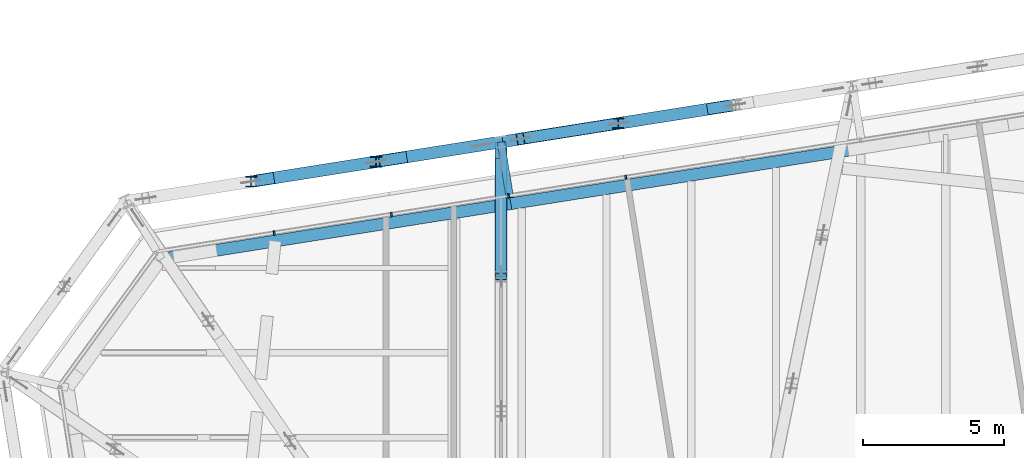
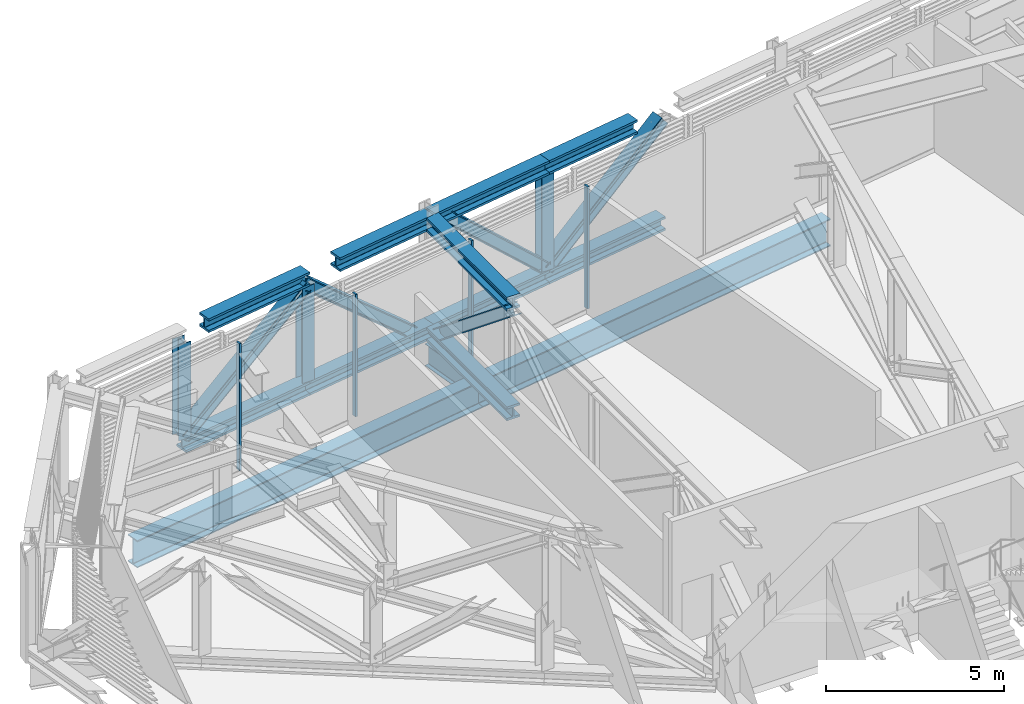
# One storey, part 15 of 32: 13 beams, 12 members, 1 element without a shape of its own.
"""IFC4 building model written with IfcOpenShell, lengths in metres."""

from ifc_helpers import new_model, si_unit, direction, frame, origin, origin_2d, place, context, subcontext, project, spatial, rectangle, i_section, extrude, material, layer, layer_set, material_profile, profile_set, type_object, element, aggregate, save


model = new_model("IFC4")

# Units and contexts
model_context = context("Model", 3, precision=1e-05, world=origin(), true_north=direction((0.0, 1.0)))
body_context = subcontext(model_context, "Body", "Model", "MODEL_VIEW")
ifc_project = project(units=[si_unit("LENGTHUNIT", "METRE"), si_unit("AREAUNIT", "SQUARE_METRE"), si_unit("VOLUMEUNIT", "CUBIC_METRE"), si_unit("PLANEANGLEUNIT", "RADIAN"), si_unit("MASSUNIT", "GRAM", prefix="KILO")], contexts=[model_context])

# Site, building, storey
site_placement = place(None, origin())
site = spatial("IfcSite", under=ifc_project, at=site_placement, CompositionType="ELEMENT")
building_placement = place(site_placement, origin())
building = spatial("IfcBuilding", under=site, at=building_placement, Name="Millrace Tower", CompositionType="ELEMENT")
storey_placement = place(building_placement, frame((0.0, 0.0, 266.89990234375)))
storey = spatial("IfcBuildingStorey", under=building, at=storey_placement, Name="L61", CompositionType="ELEMENT", Elevation=266.89990234375)

# Beams
ifc_material_1 = material(Name="Steel ASTM A992 Grade 50", Category="steel")
ifc_material_profile_1 = material_profile(ifc_material_1, i_section(OverallWidth=0.424072265625, OverallDepth=0.47509765625, WebThickness=0.0478515625, FlangeThickness=0.0771484375, FilletRadius=0.014892578125, at=origin_2d()))
ifc_profile_set_1 = profile_set([ifc_material_profile_1], Name="Steel ASTM A992 Grade 50")
beam_type_1 = type_object("IfcBeamType", Name="Belt truss chord W14x426", PredefinedType="BEAM", material=ifc_profile_set_1)
beam_1_placement = place(storey_placement, frame((-4.436767578125, 29.770751953125, 0.237548828125), z_axis=(-0.987689328781, -0.156428225752, 0.0), x_axis=(0.156428225752, -0.987689328781, 0.0)))
element("IfcBeam", 1, at=beam_1_placement, inside=storey, type_object=beam_type_1, Name="BLT-L61-R11-B02", PredefinedType="BEAM", context=body_context, shape_type="SweptSolid", body=[
    extrude(i_section(OverallWidth=0.424072265625, OverallDepth=0.47509765625, WebThickness=0.0478515625, FlangeThickness=0.0771484375, FilletRadius=0.014892578125, at=origin_2d()), origin(), (0.0, 0.0, 1.0), 4.199951171875),
])
beam_2_placement = place(storey_placement, frame((-8.5849609375, 29.11376953125, 0.237548828125), z_axis=(-0.987690751091, -0.156419245009, 0.0), x_axis=(0.156419245009, -0.987690751091, 0.0)))
element("IfcBeam", 2, at=beam_2_placement, inside=storey, type_object=beam_type_1, Name="BLT-L61-R11-B03", PredefinedType="BEAM", context=body_context, shape_type="SweptSolid", body=[
    extrude(i_section(OverallWidth=0.424072265625, OverallDepth=0.47509765625, WebThickness=0.0478515625, FlangeThickness=0.0771484375, FilletRadius=0.014892578125, at=origin_2d()), origin(), (0.0, 0.0, 1.0), 4.2001953125),
])
beam_3_placement = place(storey_placement, frame((-12.7333984375, 28.456787109375, 0.237548828125), z_axis=(-0.987680126186, -0.156486319971, 0.0), x_axis=(0.156486319971, -0.987680126186, 0.0)))
element("IfcBeam", 3, at=beam_3_placement, inside=storey, type_object=beam_type_1, Name="BLT-L61-R12-B01", PredefinedType="BEAM", context=body_context, shape_type="SweptSolid", body=[
    extrude(i_section(OverallWidth=0.424072265625, OverallDepth=0.47509765625, WebThickness=0.0478515625, FlangeThickness=0.0771484375, FilletRadius=0.014892578125, at=origin_2d()), origin(), (0.0, 0.0, 1.0), 4.47607421875),
])
beam_4_placement = place(storey_placement, frame((-17.154296875, 27.75634765625, 0.237548828125), z_axis=(-0.9876898897, -0.156424684061, 0.0), x_axis=(0.156424684061, -0.9876898897, 0.0)))
element("IfcBeam", 4, at=beam_4_placement, inside=storey, type_object=beam_type_1, Name="BLT-L61-R12-B02", PredefinedType="BEAM", context=body_context, shape_type="SweptSolid", body=[
    extrude(i_section(OverallWidth=0.424072265625, OverallDepth=0.47509765625, WebThickness=0.0478515625, FlangeThickness=0.0771484375, FilletRadius=0.014892578125, at=origin_2d()), origin(), (0.0, 0.0, 1.0), 4.476318359375),
])
beam_5_placement = place(storey_placement, frame((-5.4326171875, 29.613037109375, 4.002685546875), z_axis=(-0.987689048463, -0.156429995671, 0.0), x_axis=(0.156429995671, -0.987689048463, 0.0)))
element("IfcBeam", 5, at=beam_5_placement, inside=storey, type_object=beam_type_1, Name="BLT-L61-R11-T02", PredefinedType="BEAM", context=body_context, shape_type="SweptSolid", body=[
    extrude(i_section(OverallWidth=0.424072265625, OverallDepth=0.47509765625, WebThickness=0.0478515625, FlangeThickness=0.0771484375, FilletRadius=0.014892578125, at=origin_2d()), origin(), (0.0, 0.0, 1.0), 3.191650390625),
])
beam_6_placement = place(storey_placement, frame((-8.5849609375, 29.11376953125, 4.002685546875), z_axis=(-0.98768960102, -0.156426506822, 0.0), x_axis=(0.156426506822, -0.98768960102, 0.0)))
element("IfcBeam", 6, at=beam_6_placement, inside=storey, type_object=beam_type_1, Name="BLT-L61-R11-T03", PredefinedType="BEAM", context=body_context, shape_type="SweptSolid", body=[
    extrude(i_section(OverallWidth=0.424072265625, OverallDepth=0.47509765625, WebThickness=0.0478515625, FlangeThickness=0.0771484375, FilletRadius=0.014892578125, at=origin_2d()), origin(), (0.0, 0.0, 1.0), 4.13427734375),
])
beam_7_placement = place(storey_placement, frame((-12.7333984375, 28.456787109375, 4.002685546875), z_axis=(-0.987677242737, -0.15650451808, 0.0), x_axis=(0.15650451808, -0.987677242737, 0.0)))
element("IfcBeam", 7, at=beam_7_placement, inside=storey, type_object=beam_type_1, Name="BLT-L61-R12-T01", PredefinedType="BEAM", context=body_context, shape_type="SweptSolid", body=[
    extrude(i_section(OverallWidth=0.424072265625, OverallDepth=0.47509765625, WebThickness=0.0478515625, FlangeThickness=0.0771484375, FilletRadius=0.014892578125, at=origin_2d()), origin(), (0.0, 0.0, 1.0), 3.377197265625),
])
beam_8_placement = place(storey_placement, frame((-17.154296875, 27.75634765625, 4.002685546875), z_axis=(-0.98768763249, -0.156438935776, 0.0), x_axis=(0.156438935776, -0.98768763249, 0.0)))
element("IfcBeam", 8, at=beam_8_placement, inside=storey, type_object=beam_type_1, Name="BLT-L61-R12-T02", PredefinedType="BEAM", context=body_context, shape_type="SweptSolid", body=[
    extrude(i_section(OverallWidth=0.424072265625, OverallDepth=0.47509765625, WebThickness=0.0478515625, FlangeThickness=0.0771484375, FilletRadius=0.014892578125, at=origin_2d()), origin(), (0.0, 0.0, 1.0), 3.657958984375),
])

# Members
ifc_material_2 = material(Name="Steel ASTM A992 Grade 50", Category="steel")
ifc_material_profile_2 = material_profile(ifc_material_2, i_section(OverallWidth=0.398681640625, OverallDepth=0.385986328125, WebThickness=0.02099609375, FlangeThickness=0.033203125, FilletRadius=0.01513671875, at=origin_2d()))
ifc_profile_set_2 = profile_set([ifc_material_profile_2], Name="Steel ASTM A992 Grade 50")
member_type_1 = type_object("IfcMemberType", Name="Belt truss diagonal W14x176", PredefinedType="BRACE", material=ifc_profile_set_2)
member_1_placement = place(storey_placement, frame((-8.5849609375, 29.11376953125, 0.47509765625), z_axis=(0.777525979499, 0.123142982216, 0.616675893104), x_axis=(-0.156428225752, 0.987689328781, 0.0)))
element("IfcMember", 9, at=member_1_placement, inside=storey, type_object=member_type_1, Name="BLT-L61-R11-D02", PredefinedType="BRACE", context=body_context, shape_type="SweptSolid", body=[
    extrude(i_section(OverallWidth=0.398681640625, OverallDepth=0.385986328125, WebThickness=0.02099609375, FlangeThickness=0.033203125, FilletRadius=0.01513671875, at=origin_2d()), origin(), (0.0, 0.0, 1.0), 5.335205078125),
])
member_2_placement = place(storey_placement, frame((-8.5849609375, 29.11376953125, 0.47509765625), z_axis=(-0.719663812455, -0.113997594021, 0.684900391006), x_axis=(0.156453267504, -0.987685362394, 0.0)))
element("IfcMember", 10, at=member_2_placement, inside=storey, type_object=member_type_1, Name="BLT-L61-R11-D03", PredefinedType="BRACE", context=body_context, shape_type="SweptSolid", body=[
    extrude(i_section(OverallWidth=0.398681640625, OverallDepth=0.385986328125, WebThickness=0.02099609375, FlangeThickness=0.033203125, FilletRadius=0.01513671875, at=origin_2d()), origin(), (0.0, 0.0, 1.0), 4.8037109375),
])
member_3_placement = place(storey_placement, frame((-13.424560546875, 28.34716796875, 0.47509765625), z_axis=(-0.744691898166, -0.117965202171, 0.656900439856), x_axis=(0.156457227145, -0.987684735163, 0.0)))
element("IfcMember", 11, at=member_3_placement, inside=storey, type_object=member_type_1, Name="BLT-L61-R12-D01", PredefinedType="BRACE", context=body_context, shape_type="SweptSolid", body=[
    extrude(i_section(OverallWidth=0.398681640625, OverallDepth=0.385986328125, WebThickness=0.02099609375, FlangeThickness=0.033203125, FilletRadius=0.01513671875, at=origin_2d()), origin(), (0.0, 0.0, 1.0), 5.008544921875),
])
member_4_placement = place(storey_placement, frame((-21.575439453125, 27.05615234375, 0.47509765625), z_axis=(0.795845185352, 0.126041415406, 0.592236441427), x_axis=(-0.156424684061, 0.9876898897, 0.0)))
element("IfcMember", 12, at=member_4_placement, inside=storey, type_object=member_type_1, Name="BLT-L61-R12-D02", PredefinedType="BRACE", context=body_context, shape_type="SweptSolid", body=[
    extrude(i_section(OverallWidth=0.398681640625, OverallDepth=0.385986328125, WebThickness=0.02099609375, FlangeThickness=0.033203125, FilletRadius=0.01513671875, at=origin_2d()), origin(), (0.0, 0.0, 1.0), 5.55517578125),
])
ifc_material_3 = material(Name="Steel ASTM A992 Grade 50", Category="steel")
ifc_material_profile_3 = material_profile(ifc_material_3, i_section(OverallWidth=0.393798828125, OverallDepth=0.3759765625, WebThickness=0.017333984375, FlangeThickness=0.027587890625, FilletRadius=0.01513671875, at=origin_2d()))
ifc_profile_set_3 = profile_set([ifc_material_profile_3], Name="Steel ASTM A992 Grade 50")
member_type_2 = type_object("IfcMemberType", Name="Belt truss post W14x145", PredefinedType="POST", material=ifc_profile_set_3)
for number, where, z_axis, x_axis, name in (
    (13, (-8.5849609375, 29.11376953125, 0.47509765625), (0.0, 0.0, 1.0), (1.0, 0.0, 0.0), "BLT-L61-R11-V02"),
    (14, (-17.154296875, 27.75634765625, 0.47509765625), (0.0, 0.0, 1.0), (1.0, 0.0, 0.0), "BLT-L61-R12-V01"),
    (15, (-21.575439453125, 27.05615234375, 0.47509765625), (0.0, 0.0, 1.0), (1.0, 0.0, 0.0), "BLT-L61-R12-V02"),
):
    element("IfcMember", number, at=place(storey_placement, frame(where, z_axis=z_axis, x_axis=x_axis)), inside=storey, type_object=member_type_2, Name=name, PredefinedType="POST", context=body_context, shape_type="SweptSolid", body=[
        extrude(i_section(OverallWidth=0.393798828125, OverallDepth=0.3759765625, WebThickness=0.017333984375, FlangeThickness=0.027587890625, FilletRadius=0.01513671875, at=origin_2d()), origin(), (0.0, 0.0, 1.0), 3.2900390625),
    ])

# Curtain wall, members
ifc_material_4 = material(Name="Aluminium and glass", Category="aluminium")
ifc_layer = layer(ifc_material_4, 0.14990234375)
ifc_layer_set = layer_set([ifc_layer], Name="Aluminium and glass")
curtain_wall_type = type_object("IfcCurtainWallType", Name="CW-5 truss and plant storey louvred infill", PredefinedType="NOTDEFINED", material=ifc_layer_set)
curtain_wall_placement = place(storey_placement, origin())
curtain_wall = element("IfcCurtainWall", 16, at=curtain_wall_placement, inside=storey, type_object=curtain_wall_type, Name="Curtain wall D-F06 L61", PredefinedType="NOTDEFINED")
ifc_material_5 = material(Name="Aluminium", Category="aluminium")
ifc_material_profile_4 = material_profile(ifc_material_5, rectangle(XDim=0.06494140625, YDim=0.14990234375, at=origin_2d()))
ifc_profile_set_4 = profile_set([ifc_material_profile_4], Name="Aluminium")
member_type_3 = type_object("IfcMemberType", Name="CW-5 truss and plant storey louvred infill mullion", PredefinedType="MULLION", material=ifc_profile_set_4)
member_5_placement = place(storey_placement, frame((-8.31591796875, 27.207275390625, 0.14013671875), z_axis=(0.0, 0.0, 1.0), x_axis=(-0.987688339511, -0.156434471884, 0.0)))
member_5 = element("IfcMember", 17, at=member_5_placement, type_object=member_type_3, Name="CW5 mullion D-F06.6", PredefinedType="MULLION", context=body_context, shape_type="SweptSolid", body=[
    extrude(rectangle(XDim=0.06494140625, YDim=0.14990234375, at=origin_2d()), origin(), (0.0, 0.0, 1.0), 4.199951171875),
])
member_6_placement = place(storey_placement, frame((-12.46435546875, 26.55029296875, 0.14013671875), z_axis=(0.0, 0.0, 1.0), x_axis=(-0.987688339511, -0.156434471884, 0.0)))
member_6 = element("IfcMember", 18, at=member_6_placement, type_object=member_type_3, Name="CW5 mullion D-F06.7", PredefinedType="MULLION", context=body_context, shape_type="SweptSolid", body=[
    extrude(rectangle(XDim=0.06494140625, YDim=0.14990234375, at=origin_2d()), origin(), (0.0, 0.0, 1.0), 4.199951171875),
])
member_7_placement = place(storey_placement, frame((-16.612548828125, 25.893310546875, 0.14013671875), z_axis=(0.0, 0.0, 1.0), x_axis=(-0.987688339511, -0.156434471884, 0.0)))
member_7 = element("IfcMember", 19, at=member_7_placement, type_object=member_type_3, Name="CW5 mullion D-F06.8", PredefinedType="MULLION", context=body_context, shape_type="SweptSolid", body=[
    extrude(rectangle(XDim=0.06494140625, YDim=0.14990234375, at=origin_2d()), origin(), (0.0, 0.0, 1.0), 4.199951171875),
])
member_8_placement = place(storey_placement, frame((-20.7607421875, 25.236328125, 0.14013671875), z_axis=(0.0, 0.0, 1.0), x_axis=(-0.987688339511, -0.156434471884, 0.0)))
member_8 = element("IfcMember", 20, at=member_8_placement, type_object=member_type_3, Name="CW5 mullion D-F06.9", PredefinedType="MULLION", context=body_context, shape_type="SweptSolid", body=[
    extrude(rectangle(XDim=0.06494140625, YDim=0.14990234375, at=origin_2d()), origin(), (0.0, 0.0, 1.0), 4.35986328125),
])
aggregate(curtain_wall, [member_5, member_6, member_7, member_8])

# Beams
ifc_material_6 = material(Name="Steel ASTM A992 Grade 50", Category="steel")
ifc_material_profile_5 = material_profile(ifc_material_6, i_section(OverallWidth=0.2666015625, OverallDepth=0.7568359375, WebThickness=0.013916015625, FlangeThickness=0.019287109375, FilletRadius=0.0166015625, at=origin_2d()))
ifc_profile_set_5 = profile_set([ifc_material_profile_5], Name="Steel ASTM A992 Grade 50")
beam_type_2 = type_object("IfcBeamType", Name="Link beam W30x108", PredefinedType="BEAM", material=ifc_profile_set_5)
beam_9_placement = place(storey_placement, frame((-12.42041015625, 26.481201171875, -0.62841796875), z_axis=(-0.156476509441, 0.987681680499, 0.0), x_axis=(-0.987681680499, -0.156476509441, 0.0)))
element("IfcBeam", 21, at=beam_9_placement, inside=storey, type_object=beam_type_2, Name="LNK-D-L61-S1-06", PredefinedType="BEAM", context=body_context, shape_type="SweptSolid", body=[
    extrude(i_section(OverallWidth=0.2666015625, OverallDepth=0.7568359375, WebThickness=0.013916015625, FlangeThickness=0.019287109375, FilletRadius=0.0166015625, at=origin_2d()), origin(), (0.0, 0.0, 1.0), 2.000244140625),
])
ifc_material_7 = material(Name="Steel ASTM A992 Grade 50", Category="steel")
ifc_material_profile_6 = material_profile(ifc_material_7, i_section(OverallWidth=0.424072265625, OverallDepth=0.47509765625, WebThickness=0.0478515625, FlangeThickness=0.0771484375, FilletRadius=0.014892578125, at=origin_2d()))
ifc_profile_set_6 = profile_set([ifc_material_profile_6], Name="Steel ASTM A992 Grade 50")
beam_type_3 = type_object("IfcBeamType", Name="Outrigger truss chord W14x426", PredefinedType="BEAM", material=ifc_profile_set_6)
for number, where, z_axis, x_axis, name in (
    (22, (-12.7333984375, 23.6923828125, 0.237548828125), (0.0, 1.0, 0.0), (-1.0, 0.0, 0.0), "BLT-L61-O12-B04"),
    (23, (-12.7333984375, 23.6923828125, 4.002685546875), (0.0, 1.0, 0.0), (-1.0, 0.0, 0.0), "BLT-L61-O12-T04"),
):
    element("IfcBeam", number, at=place(storey_placement, frame(where, z_axis=z_axis, x_axis=x_axis)), inside=storey, type_object=beam_type_3, Name=name, PredefinedType="BEAM", context=body_context, shape_type="SweptSolid", body=[
        extrude(i_section(OverallWidth=0.424072265625, OverallDepth=0.47509765625, WebThickness=0.0478515625, FlangeThickness=0.0771484375, FilletRadius=0.014892578125, at=origin_2d()), origin(), (0.0, 0.0, 1.0), 4.764404296875),
    ])

# Member
ifc_material_8 = material(Name="Steel ASTM A992 Grade 50", Category="steel")
ifc_material_profile_7 = material_profile(ifc_material_8, i_section(OverallWidth=0.398681640625, OverallDepth=0.385986328125, WebThickness=0.02099609375, FlangeThickness=0.033203125, FilletRadius=0.01513671875, at=origin_2d()))
ifc_profile_set_7 = profile_set([ifc_material_profile_7], Name="Steel ASTM A992 Grade 50")
member_type_4 = type_object("IfcMemberType", Name="Outrigger truss diagonal W14x176", PredefinedType="BRACE", material=ifc_profile_set_7)
member_9_placement = place(storey_placement, frame((-12.7333984375, 27.756591796875, 0.47509765625), z_axis=(0.0, -0.7772481326, 0.62919419925), x_axis=(1.0, 0.0, 0.0)))
element("IfcMember", 24, at=member_9_placement, inside=storey, type_object=member_type_4, Name="BLT-L61-O12-D04", PredefinedType="BRACE", context=body_context, shape_type="SweptSolid", body=[
    extrude(i_section(OverallWidth=0.398681640625, OverallDepth=0.385986328125, WebThickness=0.02099609375, FlangeThickness=0.033203125, FilletRadius=0.01513671875, at=origin_2d()), origin(), (0.0, 0.0, 1.0), 5.22900390625),
])

# Beams
ifc_material_9 = material(Name="Steel ASTM A992 Grade 50", Category="steel")
ifc_material_profile_8 = material_profile(ifc_material_9, i_section(OverallWidth=0.421630859375, OverallDepth=0.937255859375, WebThickness=0.021240234375, FlangeThickness=0.03662109375, FilletRadius=0.024169921875, at=origin_2d()))
ifc_profile_set_8 = profile_set([ifc_material_profile_8], Name="Steel ASTM A992 Grade 50")
beam_type_4 = type_object("IfcBeamType", Name="Ring beam medium span W36x262", PredefinedType="SPANDREL", material=ifc_profile_set_8)
beam_10_placement = place(storey_placement, frame((-24.74609375, 24.315673828125, -0.718505859375), z_axis=(0.987690085295, 0.156423449039, 0.0), x_axis=(-0.156423449039, 0.987690085295, 0.0)))
element("IfcBeam", 25, at=beam_10_placement, inside=storey, type_object=beam_type_4, Name="RNG-D-L61-S1-05", PredefinedType="SPANDREL", context=body_context, shape_type="SweptSolid", body=[
    extrude(i_section(OverallWidth=0.421630859375, OverallDepth=0.937255859375, WebThickness=0.021240234375, FlangeThickness=0.03662109375, FilletRadius=0.024169921875, at=origin_2d()), origin(), (0.0, 0.0, 1.0), 12.5126953125),
])
beam_11_placement = place(storey_placement, frame((-12.387451171875, 26.27294921875, -0.718505859375), z_axis=(0.987686809102, 0.1564441342, 0.0), x_axis=(-0.1564441342, 0.987686809102, 0.0)))
element("IfcBeam", 26, at=beam_11_placement, inside=storey, type_object=beam_type_4, Name="RNG-D-L61-S1-06", PredefinedType="SPANDREL", context=body_context, shape_type="SweptSolid", body=[
    extrude(i_section(OverallWidth=0.421630859375, OverallDepth=0.937255859375, WebThickness=0.021240234375, FlangeThickness=0.03662109375, FilletRadius=0.024169921875, at=origin_2d()), origin(), (0.0, 0.0, 1.0), 12.599853515625),
])

save(model, "model.ifc")
